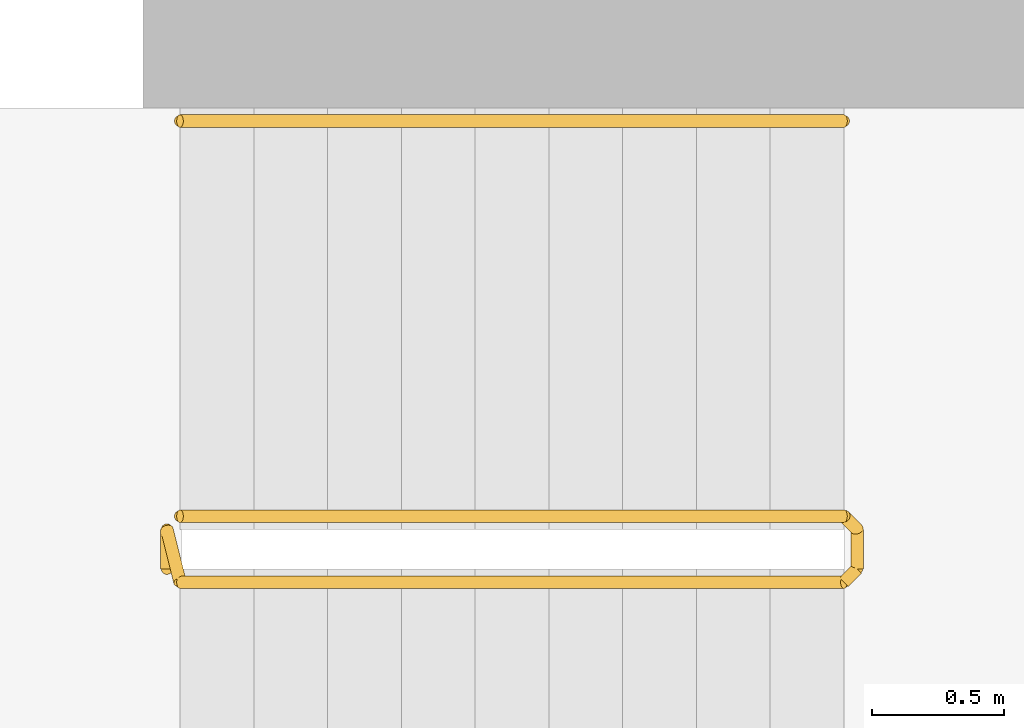
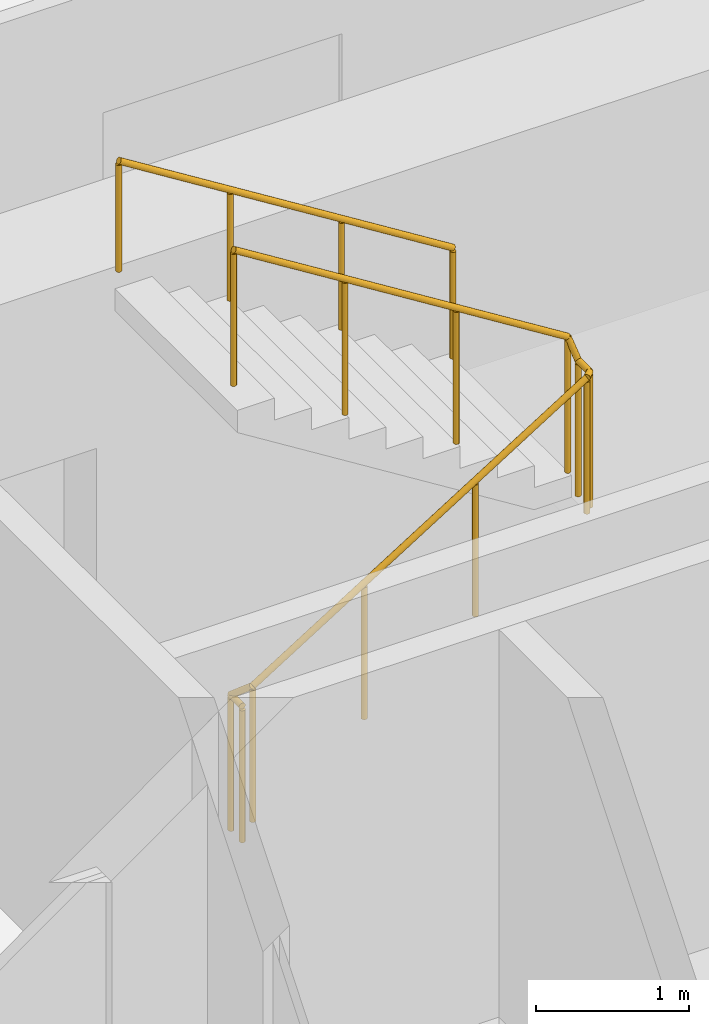
# One storey, part 16 of 16: 2 railings.
"""IFC4 building model written with IfcOpenShell, lengths in metres."""

from ifc_helpers import new_model, si_unit, direction, frame, origin, origin_2d, place, context, subcontext, project, spatial, circle, extrude, material, type_object, element, save


model = new_model("IFC4")

# Units and contexts
model_context = context("Model", 3, precision=1e-05, world=origin(), true_north=direction((0.0, 1.0)))
body_context = subcontext(model_context, "Body", "Model", "MODEL_VIEW")
ifc_project = project(units=[si_unit("LENGTHUNIT", "METRE"), si_unit("AREAUNIT", "SQUARE_METRE"), si_unit("VOLUMEUNIT", "CUBIC_METRE"), si_unit("PLANEANGLEUNIT", "RADIAN"), si_unit("MASSUNIT", "GRAM", prefix="KILO")], contexts=[model_context])

# Site, building, storey
site_placement = place(None, origin())
site = spatial("IfcSite", under=ifc_project, at=site_placement, CompositionType="ELEMENT")
building_placement = place(site_placement, origin())
building = spatial("IfcBuilding", under=site, at=building_placement, Name="Orlundy Tower", CompositionType="ELEMENT")
storey_placement = place(building_placement, frame((0.0, 0.0, 292.89990234375)))
storey = spatial("IfcBuildingStorey", under=building, at=storey_placement, Name="L78", CompositionType="ELEMENT", Elevation=292.89990234375)

# Railings
ifc_material_1 = material(Name="Steel balustrade", Category="steel")
railing_type_1 = type_object("IfcRailingType", Name="Stair Guard 1100", PredefinedType="GUARDRAIL", material=ifc_material_1)
railing_1_placement = place(storey_placement, frame((13.090087890625, 9.35009765625, 0.0)))
element("IfcRailing", 1, at=railing_1_placement, inside=storey, type_object=railing_type_1, Name="L78 ST-E2 stair guard 1", PredefinedType="GUARDRAIL", context=body_context, shape_type="SweptSolid", body=[
    extrude(circle(Radius=0.02392578125, at=origin_2d()), frame((0.0, 0.0, 1.076171875), z_axis=(0.0, 1.0, 0.0), x_axis=(-1.0, 0.0, 0.0)), (0.0, 0.0, 1.0), 0.14990234375),
    extrude(circle(Radius=0.02392578125, at=origin_2d()), frame((0.0, 0.14990234375, 1.076171875), z_axis=(0.18420542264, -0.739530593833, 0.647427882513), x_axis=(0.970351222016, 0.241699205484, 0.0)), (0.0, 0.0, 1.0), 0.270263671875),
    extrude(circle(Radius=0.02392578125, at=origin_2d()), frame((0.0498046875, -0.050048828125, 1.2509765625), z_axis=(0.848007534815, 0.0, 0.529984170421), x_axis=(0.0, 1.0, 0.0)), (0.0, 0.0, 1.0), 2.9716796875),
    extrude(circle(Radius=0.02392578125, at=origin_2d()), frame((2.56982421875, -0.050048828125, 2.826171875), z_axis=(0.707106781187, 0.707106781187, 0.0), x_axis=(-0.707106781187, 0.707106781187, 0.0)), (0.0, 0.0, 1.0), 0.07080078125),
    extrude(circle(Radius=0.02392578125, at=origin_2d()), frame((2.619873046875, 0.0, 2.826171875), z_axis=(0.0, 1.0, 0.0), x_axis=(-1.0, 0.0, 0.0)), (0.0, 0.0, 1.0), 0.14990234375),
    extrude(circle(Radius=0.02392578125, at=origin_2d()), frame((2.619873046875, 0.14990234375, 2.826171875), z_axis=(-0.265065253269, 0.265065253269, 0.927081885822), x_axis=(-0.707106781187, -0.707106781187, 0.0)), (0.0, 0.0, 1.0), 0.188720703125),
    extrude(circle(Radius=0.02392578125, at=origin_2d()), frame((2.56982421875, 0.199951171875, 3.0009765625), z_axis=(-0.848007534815, 0.0, 0.529984170421), x_axis=(0.0, -1.0, 0.0)), (0.0, 0.0, 1.0), 2.9716796875),
    extrude(circle(Radius=0.02099609375, at=origin_2d()), origin(), (0.0, 0.0, 1.0), 1.052001953125),
    extrude(circle(Radius=0.02099609375, at=origin_2d()), frame((0.0, 0.14990234375, 0.0)), (0.0, 0.0, 1.0), 1.052001953125),
    extrude(circle(Radius=0.02099609375, at=origin_2d()), frame((0.0498046875, -0.050048828125, 0.175048828125)), (0.0, 0.0, 1.0), 1.052001953125),
    extrude(circle(Radius=0.02099609375, at=origin_2d()), frame((0.889892578125, -0.050048828125, 0.699951171875)), (0.0, 0.0, 1.0), 1.052001953125),
    extrude(circle(Radius=0.02099609375, at=origin_2d()), frame((1.729736328125, -0.050048828125, 1.22509765625)), (0.0, 0.0, 1.0), 1.052001953125),
    extrude(circle(Radius=0.02099609375, at=origin_2d()), frame((2.56982421875, -0.050048828125, 1.75)), (0.0, 0.0, 1.0), 1.052001953125),
    extrude(circle(Radius=0.02099609375, at=origin_2d()), frame((2.619873046875, 0.0, 1.75)), (0.0, 0.0, 1.0), 1.052001953125),
    extrude(circle(Radius=0.02099609375, at=origin_2d()), frame((2.619873046875, 0.14990234375, 1.75)), (0.0, 0.0, 1.0), 1.052001953125),
    extrude(circle(Radius=0.02099609375, at=origin_2d()), frame((2.56982421875, 0.199951171875, 1.925048828125)), (0.0, 0.0, 1.0), 1.052001953125),
    extrude(circle(Radius=0.02099609375, at=origin_2d()), frame((1.729736328125, 0.199951171875, 2.449951171875)), (0.0, 0.0, 1.0), 1.052001953125),
    extrude(circle(Radius=0.02099609375, at=origin_2d()), frame((0.889892578125, 0.199951171875, 2.97509765625)), (0.0, 0.0, 1.0), 1.052001953125),
    extrude(circle(Radius=0.02099609375, at=origin_2d()), frame((0.0498046875, 0.199951171875, 3.5)), (0.0, 0.0, 1.0), 1.052001953125),
])
ifc_material_2 = material(Name="Steel handrail", Category="steel")
railing_type_2 = type_object("IfcRailingType", Name="Stair Handrail 900", PredefinedType="HANDRAIL", material=ifc_material_2)
railing_2_placement = place(storey_placement, frame((15.659912109375, 11.050048828125, 1.925048828125)))
element("IfcRailing", 2, at=railing_2_placement, inside=storey, type_object=railing_type_2, Name="L78 ST-E2 stair handrail 2", PredefinedType="HANDRAIL", context=body_context, shape_type="SweptSolid", body=[
    extrude(circle(Radius=0.02392578125, at=origin_2d()), frame((0.0, 0.0, 0.8759765625), z_axis=(-0.848007534815, 0.0, 0.529984170421), x_axis=(0.0, -1.0, 0.0)), (0.0, 0.0, 1.0), 2.9716796875),
    extrude(circle(Radius=0.02099609375, at=origin_2d()), origin(), (0.0, 0.0, 1.0), 0.851806640625),
    extrude(circle(Radius=0.02099609375, at=origin_2d()), frame((-0.840087890625, 0.0, 0.52490234375)), (0.0, 0.0, 1.0), 0.851806640625),
    extrude(circle(Radius=0.02099609375, at=origin_2d()), frame((-1.679931640625, 0.0, 1.050048828125)), (0.0, 0.0, 1.0), 0.851806640625),
    extrude(circle(Radius=0.02099609375, at=origin_2d()), frame((-2.52001953125, 0.0, 1.574951171875)), (0.0, 0.0, 1.0), 0.851806640625),
])

save(model, "model.ifc")
